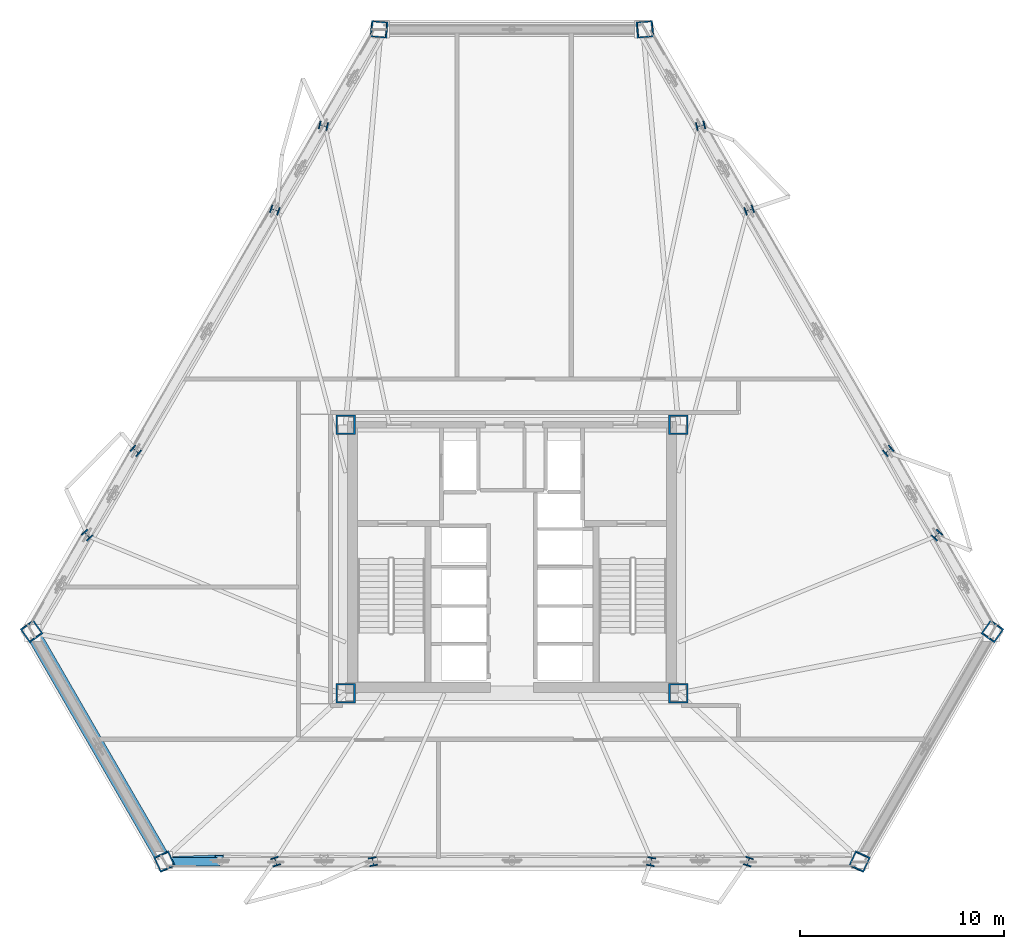
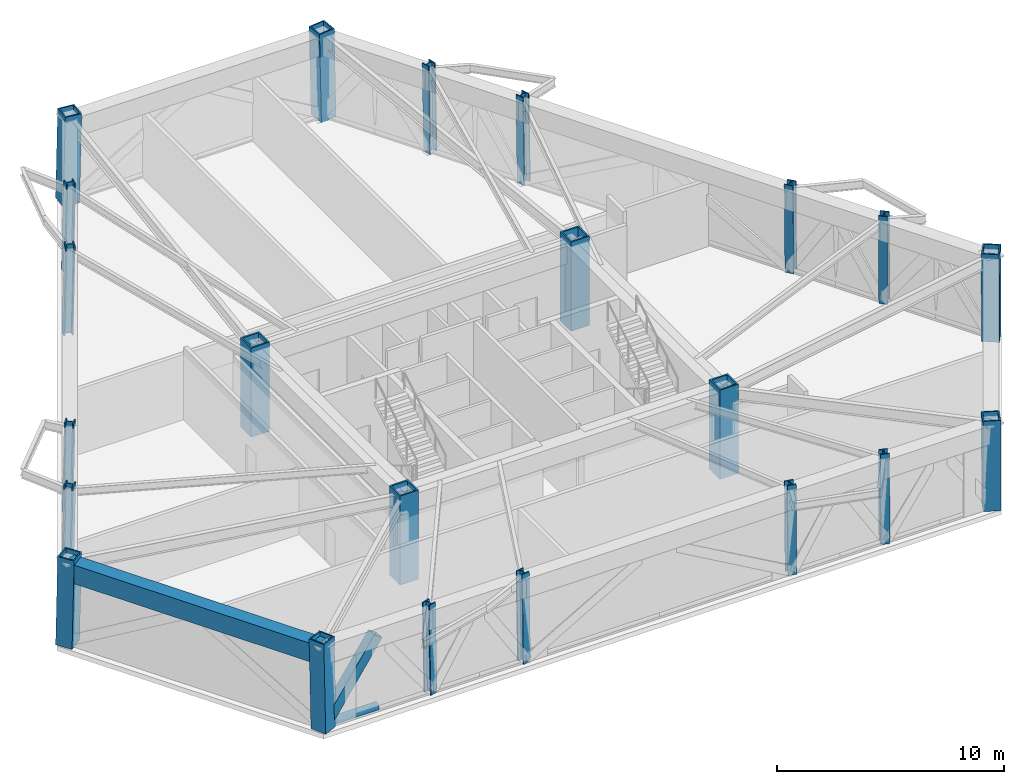
# One storey, part 1 of 11: 22 columns, 2 members, 1 beam.
"""IFC4 building model written with IfcOpenShell, lengths in metres."""

import ifcopenshell
import ifcopenshell.guid

model = None  # the IFC model being written
_history = None  # IfcOwnerHistory: only IFC2X3 demands one
_inside = {}  # id of a spatial element -> (the spatial element, [elements in it])
_under = {}  # id of a project, library or spatial element -> (it, [spatial elements below it])
_declared = {}  # id of a project -> (the project, [libraries it declares])
_typed = {}  # id of a type object -> (the type object, [elements of that type])
_made_of = {}  # id of a material, layer set ... -> (it, [elements and type objects made of it])


def new_model(schema):
    """Start an empty IFC model of exactly this schema.

    Asked for "IFC4X3", IfcOpenShell would pick the latest addendum, in which some entities
    have other attributes; the version numbers below select the first issue.
    IFC2X3 requires an IfcOwnerHistory on every rooted entity: one is made here for all.
    """
    global model, _history
    if schema == "IFC4X3":
        model = ifcopenshell.file(schema_version=(4, 3, 0, 0))
    else:
        model = ifcopenshell.file(schema=schema)
    _inside.clear()
    _under.clear()
    _declared.clear()
    _typed.clear()
    _made_of.clear()
    _history = None
    if model.schema == "IFC2X3":
        org = make("IfcOrganization", Name="unknown")
        user = make(
            "IfcPersonAndOrganization",
            ThePerson=make("IfcPerson", FamilyName="unknown"),
            TheOrganization=org,
        )
        app = make(
            "IfcApplication",
            ApplicationDeveloper=org,
            Version="unknown",
            ApplicationFullName="unknown",
            ApplicationIdentifier="unknown",
        )
        _history = make(
            "IfcOwnerHistory",
            OwningUser=user,
            OwningApplication=app,
            ChangeAction="ADDED",
            CreationDate=0,
        )
    return model


def make(cls, **values):
    """One entity of the class cls with the attributes given. An attribute that is None is left unset."""
    return model.create_entity(
        cls, **{name: value for name, value in values.items() if value is not None}
    )


def rooted(cls, **values):
    """An entity with a GlobalId (a new one), such as an element, a storey or a relation."""
    return make(cls, GlobalId=ifcopenshell.guid.new(), OwnerHistory=_history, **values)


def si_unit(unit_type, name, prefix=None):
    """IfcSIUnit, for example si_unit("LENGTHUNIT", "METRE", prefix="MILLI")."""
    return make("IfcSIUnit", UnitType=unit_type, Prefix=prefix, Name=name)


def assignment(units):
    """IfcUnitAssignment: the units of a project."""
    return None if units is None else make("IfcUnitAssignment", Units=units)


def point(xyz):
    """IfcCartesianPoint."""
    return None if xyz is None else make("IfcCartesianPoint", Coordinates=xyz)


def direction(xyz):
    """IfcDirection."""
    return None if xyz is None else make("IfcDirection", DirectionRatios=xyz)


def frame(location, z_axis=None, x_axis=None):
    """IfcAxis2Placement3D, a coordinate frame: its origin and axes. An axis left out is left unset."""
    return make(
        "IfcAxis2Placement3D",
        Location=point(location),
        Axis=direction(z_axis),
        RefDirection=direction(x_axis),
    )


def frame_2d(location, x_axis=None):
    """IfcAxis2Placement2D, a coordinate frame in the plane: its origin and x axis."""
    return make(
        "IfcAxis2Placement2D", Location=point(location), RefDirection=direction(x_axis)
    )


def origin():
    """The frame at (0, 0, 0) with its axes left unset."""
    return frame((0.0, 0.0, 0.0))


def origin_2d():
    """The frame at (0, 0) in the plane with its x axis left unset."""
    return frame_2d((0.0, 0.0))


def place(relative_to, where):
    """IfcLocalPlacement: puts the frame where relative to a parent placement (None: the world)."""
    return make(
        "IfcLocalPlacement", PlacementRelTo=relative_to, RelativePlacement=where
    )


def context(
    kind, dimensions, precision=None, world=None, true_north=None, identifier=None
):
    """IfcGeometricRepresentationContext, for example the 3D "Model" context."""
    return make(
        "IfcGeometricRepresentationContext",
        ContextIdentifier=identifier,
        ContextType=kind,
        CoordinateSpaceDimension=dimensions,
        Precision=precision,
        WorldCoordinateSystem=world,
        TrueNorth=true_north,
    )


def subcontext(parent, identifier, kind, view, scale=None):
    """IfcGeometricRepresentationSubContext, for example "Body" below "Model"."""
    return make(
        "IfcGeometricRepresentationSubContext",
        ContextIdentifier=identifier,
        ContextType=kind,
        ParentContext=parent,
        TargetScale=scale,
        TargetView=view,
    )


def project(units=None, contexts=None):
    """IfcProject with its units and contexts."""
    return rooted(
        "IfcProject",
        Name="project",
        RepresentationContexts=contexts,
        UnitsInContext=assignment(units),
    )


def spatial(cls, under=None, at=None, **own):
    """A site, building, storey or space (cls), placed at a placement, below another one or the project."""
    s = rooted(cls, ObjectPlacement=at, **own)
    if under is not None:
        _under.setdefault(under.id(), (under, []))[1].append(s)
    return s


def profile(cls, at=None, kind="AREA", **sizes):
    """A parametric profile (cls). Its sizes go by their IFC names, for example OverallWidth=200.0."""
    return make(cls, ProfileType=kind, Position=at, **sizes)


def hollow_rectangle(**sizes):
    """IfcRectangleHollowProfileDef."""
    return profile("IfcRectangleHollowProfileDef", **sizes)


def hollow_circle(**sizes):
    """IfcCircleHollowProfileDef."""
    return profile("IfcCircleHollowProfileDef", **sizes)


def i_section(**sizes):
    """IfcIShapeProfileDef."""
    return profile("IfcIShapeProfileDef", **sizes)


def extrude(swept, where, along, depth):
    """IfcExtrudedAreaSolid: the profile swept, set in the frame where, extruded along a direction by depth."""
    return make(
        "IfcExtrudedAreaSolid",
        SweptArea=swept,
        Position=where,
        ExtrudedDirection=direction(along),
        Depth=depth,
    )


def shape(context_of_items, identifier, shape_type, items):
    """IfcShapeRepresentation: the items that make up one representation, for example the "Body"."""
    return make(
        "IfcShapeRepresentation",
        ContextOfItems=context_of_items,
        RepresentationIdentifier=identifier,
        RepresentationType=shape_type,
        Items=items,
    )


def material(Name=None, Category=None):
    """IfcMaterial."""
    return make("IfcMaterial", Name=Name, Category=Category)


def material_profile(
    of_material, cross_section, Name=None, Category=None, Priority=None
):
    """IfcMaterialProfile: a cross section and its material."""
    return make(
        "IfcMaterialProfile",
        Name=Name,
        Material=of_material,
        Profile=cross_section,
        Priority=Priority,
        Category=Category,
    )


def profile_set(profiles, Name=None, composite=None):
    """IfcMaterialProfileSet."""
    return make(
        "IfcMaterialProfileSet",
        Name=Name,
        MaterialProfiles=profiles,
        CompositeProfile=composite,
    )


def made_of(thing, what):
    """Note that an element or type object is made of a material, layer set ...; save() writes the relation."""
    if what is not None:
        _made_of.setdefault(what.id(), (what, []))[1].append(thing)
    return thing


def type_object(cls, material=None, **own):
    """A type object (cls), such as IfcWallType, which elements share."""
    return made_of(rooted(cls, **own), material)


def element(
    cls,
    number,
    at=None,
    inside=None,
    cuts=None,
    type_object=None,
    material=None,
    context=None,
    identifier="Body",
    shape_type=None,
    held_by="IfcProductDefinitionShape",
    body=None,
    shapes=None,
    **own,
):
    """One element of the class cls, such as IfcWall. Its Tag is "e" and its number.

    at: its placement. inside: the storey or other place that contains it. cuts: it is an
    opening in that element (IfcRelVoidsElement). A single representation is given by context,
    identifier, shape_type and body (its items); several are given by shapes. held_by: the class
    of the entity that holds the representations. save() writes the other relations.
    """
    e = rooted(cls, Tag="e%d" % number, ObjectPlacement=at, **own)
    if body is not None:
        shapes = [shape(context, identifier, shape_type, body)]
    if shapes is not None:
        e.Representation = make(held_by, Representations=shapes)
    if inside is not None:
        _inside.setdefault(inside.id(), (inside, []))[1].append(e)
    if cuts is not None:
        rooted(
            "IfcRelVoidsElement", RelatingBuildingElement=cuts, RelatedOpeningElement=e
        )
    if type_object is not None:
        _typed.setdefault(type_object.id(), (type_object, []))[1].append(e)
    return made_of(e, material)


def aggregate(whole, parts):
    """IfcRelAggregates: a whole, such as a stair, and the parts it consists of."""
    return rooted("IfcRelAggregates", RelatingObject=whole, RelatedObjects=parts)


def save(model, path):
    """Write the relations noted so far, then the file.

    IfcRelAggregates (storeys below a building ...), IfcRelContainedInSpatialStructure (elements
    in a storey), IfcRelDefinesByType, IfcRelAssociatesMaterial and IfcRelDeclares: one each for
    every whole, place, type object, material and project.
    """
    for whole, parts in _under.values():
        aggregate(whole, parts)
    for where, things in _inside.values():
        rooted(
            "IfcRelContainedInSpatialStructure",
            RelatedElements=things,
            RelatingStructure=where,
        )
    for kind, things in _typed.values():
        rooted("IfcRelDefinesByType", RelatedObjects=things, RelatingType=kind)
    for what, things in _made_of.values():
        rooted("IfcRelAssociatesMaterial", RelatedObjects=things, RelatingMaterial=what)
    for by, libraries in _declared.values():
        rooted("IfcRelDeclares", RelatingContext=by, RelatedDefinitions=libraries)
    model.write(path)


model = new_model("IFC4")

# Units and contexts
model_context = context("Model", 3, precision=1e-05, world=origin(), true_north=direction((0.0, 1.0)))
body_context = subcontext(model_context, "Body", "Model", "MODEL_VIEW")
ifc_project = project(units=[si_unit("LENGTHUNIT", "METRE"), si_unit("AREAUNIT", "SQUARE_METRE"), si_unit("VOLUMEUNIT", "CUBIC_METRE"), si_unit("PLANEANGLEUNIT", "RADIAN"), si_unit("MASSUNIT", "GRAM", prefix="KILO")], contexts=[model_context])

# Site, building, storey
site_placement = place(None, origin())
site = spatial("IfcSite", under=ifc_project, at=site_placement, CompositionType="ELEMENT")
building_placement = place(site_placement, origin())
building = spatial("IfcBuilding", under=site, at=building_placement, Name="Oramaril Tower", CompositionType="ELEMENT")
storey_placement = place(building_placement, frame((0.0, 0.0, 77.699951171875)))
storey = spatial("IfcBuildingStorey", under=building, at=storey_placement, Name="L20", CompositionType="ELEMENT", Elevation=77.699951171875)

# Columns
ifc_material_1 = material(Name="Steel ASTM A572 Gr 50", Category="steel")
ifc_material_profile_1 = material_profile(ifc_material_1, hollow_rectangle(XDim=0.949951171875, YDim=0.949951171875, WallThickness=0.080078125, at=origin_2d()), Name="BOX950X950X80")
ifc_profile_set_1 = profile_set([ifc_material_profile_1], Name="Steel ASTM A572 Gr 50")
column_type_1 = type_object("IfcColumnType", Name="CT-CC2", PredefinedType="COLUMN", material=ifc_profile_set_1)
for number, where, z_axis, x_axis, name in (
    (1, (29.35009765625, 11.0, 0.0), (0.0, 0.0, 1.0), (1.0, 0.0, 0.0), "L20 Core Column CC-1"),
    (2, (45.64990234375, 11.0, 0.0), (0.0, 0.0, 1.0), (1.0, 0.0, 0.0), "L20 Core Column CC-2"),
    (3, (45.64990234375, 24.14990234375, 0.0), (0.0, 0.0, 1.0), (1.0, 0.0, 0.0), "L20 Core Column CC-3"),
    (4, (29.35009765625, 24.14990234375, 0.0), (0.0, 0.0, 1.0), (1.0, 0.0, 0.0), "L20 Core Column CC-4"),
):
    element("IfcColumn", number, at=place(storey_placement, frame(where, z_axis=z_axis, x_axis=x_axis)), inside=storey, type_object=column_type_1, Name=name, PredefinedType="COLUMN", context=body_context, shape_type="SweptSolid", body=[
        extrude(hollow_rectangle(XDim=0.949951171875, YDim=0.949951171875, WallThickness=0.080078125, at=origin_2d()), origin(), (0.0, 0.0, 1.0), 4.800048828125),
    ])
ifc_material_2 = material(Name="Steel ASTM A572 Gr 50", Category="steel")
ifc_material_profile_2 = material_profile(ifc_material_2, hollow_rectangle(XDim=0.800048828125, YDim=0.800048828125, WallThickness=0.06494140625, at=origin_2d()), Name="BOX800X800X65")
ifc_profile_set_2 = profile_set([ifc_material_profile_2], Name="Steel ASTM A572 Gr 50")
column_type_2 = type_object("IfcColumnType", Name="CT-TC3", PredefinedType="COLUMN", material=ifc_profile_set_2)
for number, where, z_axis, x_axis, name in (
    (5, (13.96630859375, 14.043701171875, 0.004638671875), (0.012176245, -0.017270908181, 0.999776702463), (0.817301802822, 0.576209825588, 0.0), "L20 Tube Column TC-01"),
    (6, (20.488037109375, 2.747314453125, 0.004638671875), (-0.008813775732, 0.019155951879, 0.999777658715), (-0.908453756995, -0.417985372234, 0.0), "L20 Tube Column TC-02"),
    (7, (54.511962890625, 2.747314453125, 0.004638671875), (0.008813775732, 0.019155951879, 0.999777658715), (-0.908453756995, 0.417985372234, 0.0), "L20 Tube Column TC-03"),
    (8, (61.03369140625, 14.043701171875, 0.004638671875), (-0.012176245, -0.017270908181, 0.999776702463), (0.817301802822, -0.576209825588, 0.0), "L20 Tube Column TC-04"),
    (9, (44.02197265625, 43.509033203125, 0.004638671875), (-0.021040959726, -0.001935972081, 0.99977674009), (0.091622673793, -0.995793796751, 0.0), "L20 Tube Column TC-05"),
    (10, (30.97802734375, 43.509033203125, 0.004638671875), (0.021040959726, -0.001935972081, 0.99977674009), (0.091622673793, 0.995793796751, 0.0), "L20 Tube Column TC-06"),
):
    element("IfcColumn", number, at=place(storey_placement, frame(where, z_axis=z_axis, x_axis=x_axis)), inside=storey, type_object=column_type_2, Name=name, PredefinedType="COLUMN", context=body_context, shape_type="SweptSolid", body=[
        extrude(hollow_rectangle(XDim=0.800048828125, YDim=0.800048828125, WallThickness=0.06494140625, at=origin_2d()), origin(), (0.0, 0.0, 1.0), 4.7919921875),
    ])
ifc_material_3 = material(Name="Steel ASTM A572 Gr 50", Category="steel")
ifc_material_profile_3 = material_profile(ifc_material_3, i_section(OverallWidth=0.410888671875, OverallDepth=0.43408203125, WebThickness=0.035888671875, FlangeThickness=0.057373046875, at=origin_2d()), Name="W14X311")
ifc_profile_set_3 = profile_set([ifc_material_profile_3], Name="Steel ASTM A572 Gr 50")
column_type_3 = type_object("IfcColumnType", Name="CT-TF2", PredefinedType="COLUMN", material=ifc_profile_set_3)
for number, where, z_axis, x_axis, name in (
    (11, (25.931884765625, 2.747314453125, 0.004638671875), (-0.006011833176, 0.01915634978, 0.999798425746), (-0.954118061328, -0.299430668183, 0.0), "L20 Tube Column TC-07"),
    (12, (30.6953125, 2.747314453125, 0.004638671875), (-0.003566383483, 0.019156574137, 0.999810135264), (-0.983108173983, -0.183025457922, 0.0), "L20 Tube Column TC-08"),
    (13, (44.3046875, 2.747314453125, 0.004638671875), (0.003566383483, 0.019156574137, 0.999810135264), (-0.983108173983, 0.183025457922, 0.0), "L20 Tube Column TC-09"),
    (14, (49.068115234375, 2.747314453125, 0.004638671875), (0.006011833176, 0.01915634978, 0.999798425746), (-0.954118061328, 0.299430668183, 0.0), "L20 Tube Column TC-10"),
    (15, (58.31201171875, 18.75830078125, 0.004638671875), (-0.013653972639, -0.014825768798, 0.999796862173), (0.735578252128, -0.677439764847, 0.0), "L20 Tube Column TC-11"),
    (16, (55.930419921875, 22.88330078125, 0.004638671875), (-0.014927831798, -0.012686109616, 0.999808092816), (0.64757292506, -0.762003482098, 0.0), "L20 Tube Column TC-12"),
    (17, (49.12548828125, 34.66943359375, 0.004638671875), (-0.018392338864, -0.006521383309, 0.999809578585), (0.334185430328, -0.942507346473, 0.0), "L20 Tube Column TC-13"),
    (18, (46.743896484375, 38.794677734375, 0.004638671875), (-0.019614866853, -0.004432450432, 0.999797784745), (0.220416391752, -0.975405871546, 0.0), "L20 Tube Column TC-14"),
    (19, (28.256103515625, 38.794677734375, 0.004638671875), (0.019614866853, -0.004432450432, 0.999797784745), (0.220416391752, 0.975405871546, 0.0), "L20 Tube Column TC-15"),
    (20, (25.87451171875, 34.66943359375, 0.004638671875), (0.018392338864, -0.006521383309, 0.999809578585), (0.334185430328, 0.942507346473, 0.0), "L20 Tube Column TC-16"),
    (21, (19.069580078125, 22.88330078125, 0.004638671875), (0.014927831798, -0.012686109616, 0.999808092816), (0.64757292506, 0.762003482098, 0.0), "L20 Tube Column TC-17"),
    (22, (16.68798828125, 18.75830078125, 0.004638671875), (0.013653972639, -0.014825768798, 0.999796862173), (0.735578252128, 0.677439764847, 0.0), "L20 Tube Column TC-18"),
):
    element("IfcColumn", number, at=place(storey_placement, frame(where, z_axis=z_axis, x_axis=x_axis)), inside=storey, type_object=column_type_3, Name=name, PredefinedType="COLUMN", context=body_context, shape_type="SweptSolid", body=[
        extrude(i_section(OverallWidth=0.410888671875, OverallDepth=0.43408203125, WebThickness=0.035888671875, FlangeThickness=0.057373046875, at=origin_2d()), origin(), (0.0, 0.0, 1.0), 4.7919921875),
    ])

# Beam
ifc_material_4 = material(Name="Steel ASTM A572 Gr 50", Category="steel")
ifc_material_profile_4 = material_profile(ifc_material_4, hollow_rectangle(XDim=0.699951171875, YDim=1.0, WallThickness=0.06494140625, at=origin_2d()), Name="BOX1000X700X65")
ifc_profile_set_4 = profile_set([ifc_material_profile_4], Name="Steel ASTM A572 Gr 50")
beam_type = type_object("IfcBeamType", Name="BT-BT1", PredefinedType="BEAM", material=ifc_profile_set_4)
beam_placement = place(storey_placement, frame((14.024658203125, 13.9609375, 4.06005859375), z_axis=(0.499997269419, -0.866026980281, 0.0), x_axis=(0.866026980281, 0.499997269419, 0.0)))
element("IfcBeam", 23, at=beam_placement, inside=storey, type_object=beam_type, Name="L20 Perimeter Spandrel 01", PredefinedType="BEAM", context=body_context, shape_type="SweptSolid", body=[
    extrude(hollow_rectangle(XDim=0.699951171875, YDim=1.0, WallThickness=0.06494140625, at=origin_2d()), origin(), (0.0, 0.0, 1.0), 12.84228515625),
])

# Members
ifc_material_5 = material(Name="Steel ASTM A572 Gr 50", Category="steel")
ifc_material_profile_5 = material_profile(ifc_material_5, hollow_circle(Radius=0.202880859375, WallThickness=0.01611328125, at=origin_2d()), Name="CHS406X16")
ifc_profile_set_5 = profile_set([ifc_material_profile_5], Name="Steel ASTM A572 Gr 50")
member_type_1 = type_object("IfcMemberType", Name="MT-CH1", PredefinedType="CHORD", material=ifc_profile_set_5)
member_1_placement = place(storey_placement, frame((20.488037109375, 2.747314453125, 0.2099609375), z_axis=(1.0, 0.0, 0.0), x_axis=(0.0, 1.0, 0.0)))
element("IfcMember", 24, at=member_1_placement, inside=storey, type_object=member_type_1, Name="L20 Belt Truss Chord 02A", PredefinedType="CHORD", context=body_context, shape_type="SweptSolid", body=[
    extrude(hollow_circle(Radius=0.202880859375, WallThickness=0.01611328125, at=origin_2d()), origin(), (0.0, 0.0, 1.0), 2.721923828125),
])
ifc_material_6 = material(Name="Steel ASTM A572 Gr 50", Category="steel")
ifc_material_profile_6 = material_profile(ifc_material_6, hollow_rectangle(XDim=0.5, YDim=0.5, WallThickness=0.02490234375, at=origin_2d()), Name="HSS500X500X25")
ifc_profile_set_6 = profile_set([ifc_material_profile_6], Name="Steel ASTM A572 Gr 50")
member_type_2 = type_object("IfcMemberType", Name="MT-TD1", PredefinedType="BRACE", material=ifc_profile_set_6)
member_2_placement = place(storey_placement, frame((20.488037109375, 2.747314453125, 0.2099609375), z_axis=(0.572130802573, 0.019549362211, 0.819929367192), x_axis=(-0.034149463205, 0.999416736984, 0.0)))
element("IfcMember", 25, at=member_2_placement, inside=storey, type_object=member_type_2, Name="L20 Truss Diagonal 02A", PredefinedType="BRACE", context=body_context, shape_type="SweptSolid", body=[
    extrude(hollow_rectangle(XDim=0.5, YDim=0.5, WallThickness=0.02490234375, at=origin_2d()), origin(), (0.0, 0.0, 1.0), 4.695556640625),
])

save(model, "model.ifc")
